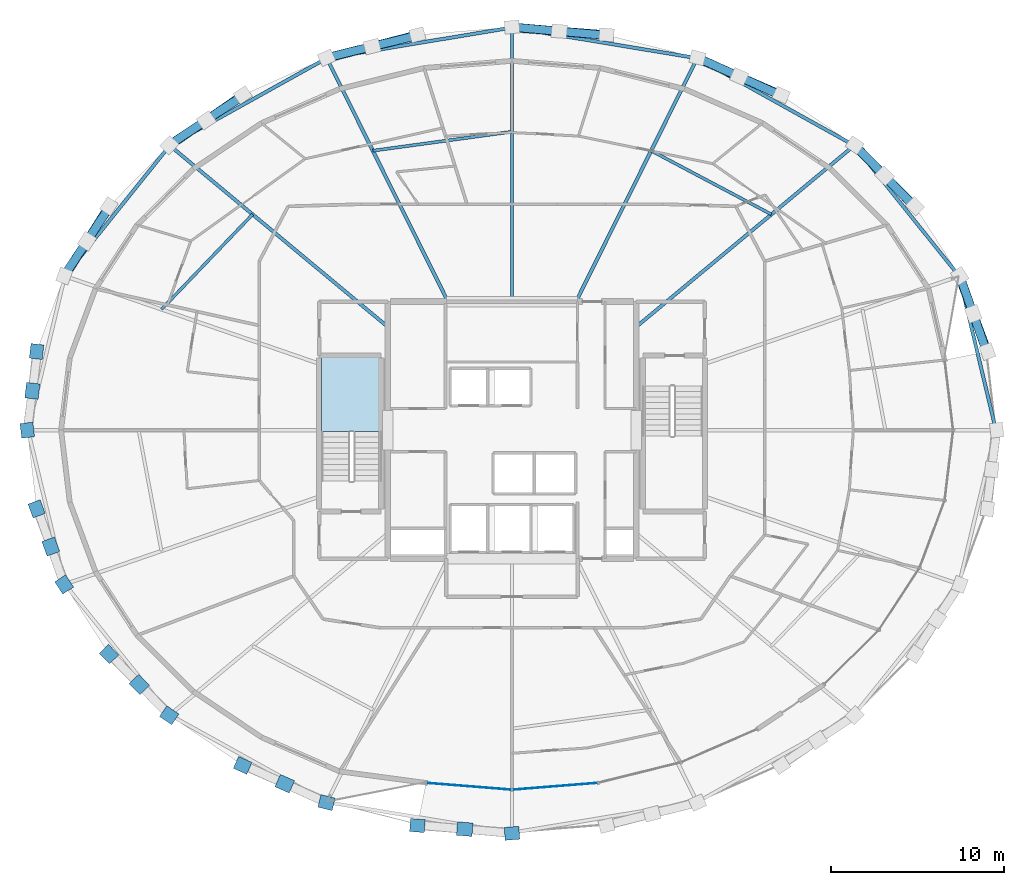
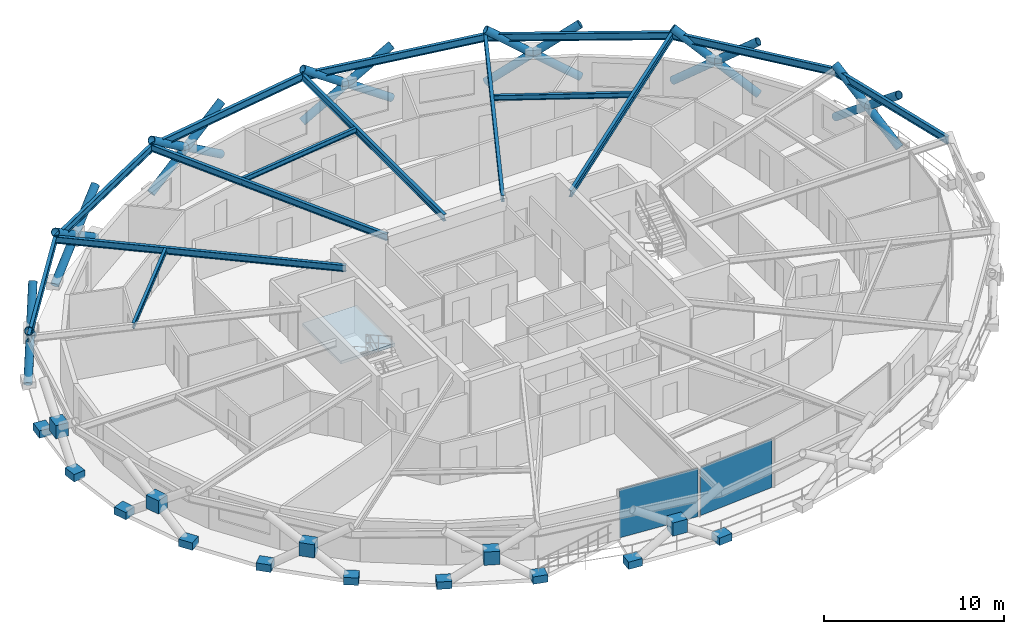
# One storey, part 12 of 19: 21 members, 17 plates, 15 beams, 1 slab, 2 elements without a shape of their own.
"""IFC4 building model written with IfcOpenShell, lengths in metres."""

import ifcopenshell
import ifcopenshell.guid

model = None  # the IFC model being written
_history = None  # IfcOwnerHistory: only IFC2X3 demands one
_inside = {}  # id of a spatial element -> (the spatial element, [elements in it])
_under = {}  # id of a project, library or spatial element -> (it, [spatial elements below it])
_declared = {}  # id of a project -> (the project, [libraries it declares])
_typed = {}  # id of a type object -> (the type object, [elements of that type])
_made_of = {}  # id of a material, layer set ... -> (it, [elements and type objects made of it])


def new_model(schema):
    """Start an empty IFC model of exactly this schema.

    Asked for "IFC4X3", IfcOpenShell would pick the latest addendum, in which some entities
    have other attributes; the version numbers below select the first issue.
    IFC2X3 requires an IfcOwnerHistory on every rooted entity: one is made here for all.
    """
    global model, _history
    if schema == "IFC4X3":
        model = ifcopenshell.file(schema_version=(4, 3, 0, 0))
    else:
        model = ifcopenshell.file(schema=schema)
    _inside.clear()
    _under.clear()
    _declared.clear()
    _typed.clear()
    _made_of.clear()
    _history = None
    if model.schema == "IFC2X3":
        org = make("IfcOrganization", Name="unknown")
        user = make(
            "IfcPersonAndOrganization",
            ThePerson=make("IfcPerson", FamilyName="unknown"),
            TheOrganization=org,
        )
        app = make(
            "IfcApplication",
            ApplicationDeveloper=org,
            Version="unknown",
            ApplicationFullName="unknown",
            ApplicationIdentifier="unknown",
        )
        _history = make(
            "IfcOwnerHistory",
            OwningUser=user,
            OwningApplication=app,
            ChangeAction="ADDED",
            CreationDate=0,
        )
    return model


def make(cls, **values):
    """One entity of the class cls with the attributes given. An attribute that is None is left unset."""
    return model.create_entity(
        cls, **{name: value for name, value in values.items() if value is not None}
    )


def rooted(cls, **values):
    """An entity with a GlobalId (a new one), such as an element, a storey or a relation."""
    return make(cls, GlobalId=ifcopenshell.guid.new(), OwnerHistory=_history, **values)


def si_unit(unit_type, name, prefix=None):
    """IfcSIUnit, for example si_unit("LENGTHUNIT", "METRE", prefix="MILLI")."""
    return make("IfcSIUnit", UnitType=unit_type, Prefix=prefix, Name=name)


def assignment(units):
    """IfcUnitAssignment: the units of a project."""
    return None if units is None else make("IfcUnitAssignment", Units=units)


def point(xyz):
    """IfcCartesianPoint."""
    return None if xyz is None else make("IfcCartesianPoint", Coordinates=xyz)


def direction(xyz):
    """IfcDirection."""
    return None if xyz is None else make("IfcDirection", DirectionRatios=xyz)


def frame(location, z_axis=None, x_axis=None):
    """IfcAxis2Placement3D, a coordinate frame: its origin and axes. An axis left out is left unset."""
    return make(
        "IfcAxis2Placement3D",
        Location=point(location),
        Axis=direction(z_axis),
        RefDirection=direction(x_axis),
    )


def frame_2d(location, x_axis=None):
    """IfcAxis2Placement2D, a coordinate frame in the plane: its origin and x axis."""
    return make(
        "IfcAxis2Placement2D", Location=point(location), RefDirection=direction(x_axis)
    )


def origin():
    """The frame at (0, 0, 0) with its axes left unset."""
    return frame((0.0, 0.0, 0.0))


def origin_2d():
    """The frame at (0, 0) in the plane with its x axis left unset."""
    return frame_2d((0.0, 0.0))


def place(relative_to, where):
    """IfcLocalPlacement: puts the frame where relative to a parent placement (None: the world)."""
    return make(
        "IfcLocalPlacement", PlacementRelTo=relative_to, RelativePlacement=where
    )


def context(
    kind, dimensions, precision=None, world=None, true_north=None, identifier=None
):
    """IfcGeometricRepresentationContext, for example the 3D "Model" context."""
    return make(
        "IfcGeometricRepresentationContext",
        ContextIdentifier=identifier,
        ContextType=kind,
        CoordinateSpaceDimension=dimensions,
        Precision=precision,
        WorldCoordinateSystem=world,
        TrueNorth=true_north,
    )


def subcontext(parent, identifier, kind, view, scale=None):
    """IfcGeometricRepresentationSubContext, for example "Body" below "Model"."""
    return make(
        "IfcGeometricRepresentationSubContext",
        ContextIdentifier=identifier,
        ContextType=kind,
        ParentContext=parent,
        TargetScale=scale,
        TargetView=view,
    )


def project(units=None, contexts=None):
    """IfcProject with its units and contexts."""
    return rooted(
        "IfcProject",
        Name="project",
        RepresentationContexts=contexts,
        UnitsInContext=assignment(units),
    )


def spatial(cls, under=None, at=None, **own):
    """A site, building, storey or space (cls), placed at a placement, below another one or the project."""
    s = rooted(cls, ObjectPlacement=at, **own)
    if under is not None:
        _under.setdefault(under.id(), (under, []))[1].append(s)
    return s


def polyline(points):
    """IfcPolyline through the points."""
    return make("IfcPolyline", Points=[point(p) for p in points])


def profile(cls, at=None, kind="AREA", **sizes):
    """A parametric profile (cls). Its sizes go by their IFC names, for example OverallWidth=200.0."""
    return make(cls, ProfileType=kind, Position=at, **sizes)


def rectangle(**sizes):
    """IfcRectangleProfileDef."""
    return profile("IfcRectangleProfileDef", **sizes)


def hollow_circle(**sizes):
    """IfcCircleHollowProfileDef."""
    return profile("IfcCircleHollowProfileDef", **sizes)


def i_section(**sizes):
    """IfcIShapeProfileDef."""
    return profile("IfcIShapeProfileDef", **sizes)


def outline(outer, holes=None, kind="AREA"):
    """IfcArbitraryClosedProfileDef: a profile drawn as a closed curve; with holes, ...WithVoids."""
    if holes is None:
        return make("IfcArbitraryClosedProfileDef", ProfileType=kind, OuterCurve=outer)
    return make(
        "IfcArbitraryProfileDefWithVoids",
        ProfileType=kind,
        OuterCurve=outer,
        InnerCurves=holes,
    )


def extrude(swept, where, along, depth):
    """IfcExtrudedAreaSolid: the profile swept, set in the frame where, extruded along a direction by depth."""
    return make(
        "IfcExtrudedAreaSolid",
        SweptArea=swept,
        Position=where,
        ExtrudedDirection=direction(along),
        Depth=depth,
    )


def shape(context_of_items, identifier, shape_type, items):
    """IfcShapeRepresentation: the items that make up one representation, for example the "Body"."""
    return make(
        "IfcShapeRepresentation",
        ContextOfItems=context_of_items,
        RepresentationIdentifier=identifier,
        RepresentationType=shape_type,
        Items=items,
    )


def material(Name=None, Category=None):
    """IfcMaterial."""
    return make("IfcMaterial", Name=Name, Category=Category)


def layer(
    of_material, thickness, ventilated=None, Name=None, Category=None, Priority=None
):
    """IfcMaterialLayer: one layer of a wall or slab, of a material (None: an air gap)."""
    return make(
        "IfcMaterialLayer",
        Material=of_material,
        LayerThickness=thickness,
        IsVentilated=ventilated,
        Name=Name,
        Category=Category,
        Priority=Priority,
    )


def layer_set(layers, Name=None):
    """IfcMaterialLayerSet."""
    return make("IfcMaterialLayerSet", MaterialLayers=layers, LayerSetName=Name)


def material_profile(
    of_material, cross_section, Name=None, Category=None, Priority=None
):
    """IfcMaterialProfile: a cross section and its material."""
    return make(
        "IfcMaterialProfile",
        Name=Name,
        Material=of_material,
        Profile=cross_section,
        Priority=Priority,
        Category=Category,
    )


def profile_set(profiles, Name=None, composite=None):
    """IfcMaterialProfileSet."""
    return make(
        "IfcMaterialProfileSet",
        Name=Name,
        MaterialProfiles=profiles,
        CompositeProfile=composite,
    )


def made_of(thing, what):
    """Note that an element or type object is made of a material, layer set ...; save() writes the relation."""
    if what is not None:
        _made_of.setdefault(what.id(), (what, []))[1].append(thing)
    return thing


def type_object(cls, material=None, **own):
    """A type object (cls), such as IfcWallType, which elements share."""
    return made_of(rooted(cls, **own), material)


def element(
    cls,
    number,
    at=None,
    inside=None,
    cuts=None,
    type_object=None,
    material=None,
    context=None,
    identifier="Body",
    shape_type=None,
    held_by="IfcProductDefinitionShape",
    body=None,
    shapes=None,
    **own,
):
    """One element of the class cls, such as IfcWall. Its Tag is "e" and its number.

    at: its placement. inside: the storey or other place that contains it. cuts: it is an
    opening in that element (IfcRelVoidsElement). A single representation is given by context,
    identifier, shape_type and body (its items); several are given by shapes. held_by: the class
    of the entity that holds the representations. save() writes the other relations.
    """
    e = rooted(cls, Tag="e%d" % number, ObjectPlacement=at, **own)
    if body is not None:
        shapes = [shape(context, identifier, shape_type, body)]
    if shapes is not None:
        e.Representation = make(held_by, Representations=shapes)
    if inside is not None:
        _inside.setdefault(inside.id(), (inside, []))[1].append(e)
    if cuts is not None:
        rooted(
            "IfcRelVoidsElement", RelatingBuildingElement=cuts, RelatedOpeningElement=e
        )
    if type_object is not None:
        _typed.setdefault(type_object.id(), (type_object, []))[1].append(e)
    return made_of(e, material)


def aggregate(whole, parts):
    """IfcRelAggregates: a whole, such as a stair, and the parts it consists of."""
    return rooted("IfcRelAggregates", RelatingObject=whole, RelatedObjects=parts)


def save(model, path):
    """Write the relations noted so far, then the file.

    IfcRelAggregates (storeys below a building ...), IfcRelContainedInSpatialStructure (elements
    in a storey), IfcRelDefinesByType, IfcRelAssociatesMaterial and IfcRelDeclares: one each for
    every whole, place, type object, material and project.
    """
    for whole, parts in _under.values():
        aggregate(whole, parts)
    for where, things in _inside.values():
        rooted(
            "IfcRelContainedInSpatialStructure",
            RelatedElements=things,
            RelatingStructure=where,
        )
    for kind, things in _typed.values():
        rooted("IfcRelDefinesByType", RelatedObjects=things, RelatingType=kind)
    for what, things in _made_of.values():
        rooted("IfcRelAssociatesMaterial", RelatedObjects=things, RelatingMaterial=what)
    for by, libraries in _declared.values():
        rooted("IfcRelDeclares", RelatingContext=by, RelatedDefinitions=libraries)
    model.write(path)


model = new_model("IFC4")

# Units and contexts
model_context = context("Model", 3, precision=1e-05, world=origin(), true_north=direction((0.0, 1.0)))
body_context = subcontext(model_context, "Body", "Model", "MODEL_VIEW")
ifc_project = project(units=[si_unit("LENGTHUNIT", "METRE"), si_unit("AREAUNIT", "SQUARE_METRE"), si_unit("VOLUMEUNIT", "CUBIC_METRE"), si_unit("PLANEANGLEUNIT", "RADIAN"), si_unit("MASSUNIT", "GRAM", prefix="KILO")], contexts=[model_context])

# Site, building, storey
site_placement = place(None, origin())
site = spatial("IfcSite", under=ifc_project, at=site_placement, CompositionType="ELEMENT")
building_placement = place(site_placement, origin())
building = spatial("IfcBuilding", under=site, at=building_placement, Name="Veldorina Hangang Commons", CompositionType="ELEMENT")
storey_placement = place(building_placement, frame((0.0, 0.0, 167.60009765625)))
storey = spatial("IfcBuildingStorey", under=building, at=storey_placement, Name="L43", CompositionType="ELEMENT", Elevation=167.60009765625)

# Beams
ifc_material_1 = material(Name="Steel SM355-TMC", Category="steel")
ifc_material_profile_1 = material_profile(ifc_material_1, i_section(OverallWidth=0.199951171875, OverallDepth=0.449951171875, WebThickness=0.009033203125, FlangeThickness=0.013916015625, FilletRadius=0.01611328125, at=origin_2d()), Name="H-450x200x9x14")
ifc_profile_set_1 = profile_set([ifc_material_profile_1], Name="Steel SM355-TMC")
beam_type_1 = type_object("IfcBeamType", Name="BM-FG450", PredefinedType="BEAM", material=ifc_profile_set_1)
beam_1_placement = place(storey_placement, frame((39.199951171875, 29.989501953125, 3.125), z_axis=(0.768760288374, 0.639537034908, 0.0), x_axis=(-0.639537034908, 0.768760288374, 0.0)))
element("IfcBeam", 1, at=beam_1_placement, inside=storey, type_object=beam_type_1, Name="L43 radial floor girder 03", PredefinedType="BEAM", context=body_context, shape_type="SweptSolid", body=[
    extrude(i_section(OverallWidth=0.199951171875, OverallDepth=0.449951171875, WebThickness=0.009033203125, FlangeThickness=0.013916015625, FilletRadius=0.01611328125, at=origin_2d()), origin(), (0.0, 0.0, 1.0), 16.438720703125),
])
beam_2_placement = place(storey_placement, frame((35.70947265625, 31.449951171875, 3.125), z_axis=(0.445720011788, 0.895172425342, 0.0), x_axis=(-0.895172425342, 0.445720011788, 0.0)))
element("IfcBeam", 2, at=beam_2_placement, inside=storey, type_object=beam_type_1, Name="L43 radial floor girder 04", PredefinedType="BEAM", context=body_context, shape_type="SweptSolid", body=[
    extrude(i_section(OverallWidth=0.199951171875, OverallDepth=0.449951171875, WebThickness=0.009033203125, FlangeThickness=0.013916015625, FilletRadius=0.01611328125, at=origin_2d()), origin(), (0.0, 0.0, 1.0), 15.76416015625),
])
beam_3_placement = place(storey_placement, frame((32.0, 31.449951171875, 3.125), z_axis=(0.0, 1.0, 0.0), x_axis=(-1.0, 0.0, 0.0)))
element("IfcBeam", 3, at=beam_3_placement, inside=storey, type_object=beam_type_1, Name="L43 radial floor girder 05", PredefinedType="BEAM", context=body_context, shape_type="SweptSolid", body=[
    extrude(i_section(OverallWidth=0.199951171875, OverallDepth=0.449951171875, WebThickness=0.009033203125, FlangeThickness=0.013916015625, FilletRadius=0.01611328125, at=origin_2d()), origin(), (0.0, 0.0, 1.0), 15.88818359375),
])
beam_4_placement = place(storey_placement, frame((28.29052734375, 31.449951171875, 3.125), z_axis=(-0.445720011788, 0.895172425342, 0.0), x_axis=(-0.895172425342, -0.445720011788, 0.0)))
element("IfcBeam", 4, at=beam_4_placement, inside=storey, type_object=beam_type_1, Name="L43 radial floor girder 06", PredefinedType="BEAM", context=body_context, shape_type="SweptSolid", body=[
    extrude(i_section(OverallWidth=0.199951171875, OverallDepth=0.449951171875, WebThickness=0.009033203125, FlangeThickness=0.013916015625, FilletRadius=0.01611328125, at=origin_2d()), origin(), (0.0, 0.0, 1.0), 15.76416015625),
])
beam_5_placement = place(storey_placement, frame((24.800048828125, 29.989501953125, 3.125), z_axis=(-0.768760288374, 0.639537034908, 0.0), x_axis=(-0.639537034908, -0.768760288374, 0.0)))
element("IfcBeam", 5, at=beam_5_placement, inside=storey, type_object=beam_type_1, Name="L43 radial floor girder 07", PredefinedType="BEAM", context=body_context, shape_type="SweptSolid", body=[
    extrude(i_section(OverallWidth=0.199951171875, OverallDepth=0.449951171875, WebThickness=0.009033203125, FlangeThickness=0.013916015625, FilletRadius=0.01611328125, at=origin_2d()), origin(), (0.0, 0.0, 1.0), 16.438720703125),
])
ifc_material_profile_2 = material_profile(ifc_material_1, i_section(OverallWidth=0.175048828125, OverallDepth=0.35009765625, WebThickness=0.007080078125, FlangeThickness=0.010986328125, FilletRadius=0.012939453125, at=origin_2d()), Name="H-350x175x7x11")
ifc_profile_set_2 = profile_set([ifc_material_profile_2], Name="Steel SM355-TMC")
beam_type_2 = type_object("IfcBeamType", Name="BM-JST350", PredefinedType="JOIST", material=ifc_profile_set_2)
beam_6_placement = place(storey_placement, frame((47.03515625, 36.5078125, 3.1748046875), z_axis=(-0.883693019746, 0.468066925613, 0.0), x_axis=(-0.468066925613, -0.883693019746, 0.0)))
element("IfcBeam", 6, at=beam_6_placement, inside=storey, type_object=beam_type_2, Name="L43 secondary floor joist 03", PredefinedType="JOIST", context=body_context, shape_type="SweptSolid", body=[
    extrude(i_section(OverallWidth=0.175048828125, OverallDepth=0.35009765625, WebThickness=0.007080078125, FlangeThickness=0.010986328125, FilletRadius=0.012939453125, at=origin_2d()), origin(), (0.0, 0.0, 1.0), 7.886474609375),
])
beam_7_placement = place(storey_placement, frame((32.0, 41.300537109375, 3.1748046875), z_axis=(-0.990806793952, -0.135284504132, 0.0), x_axis=(0.135284504132, -0.990806793952, 0.0)))
element("IfcBeam", 7, at=beam_7_placement, inside=storey, type_object=beam_type_2, Name="L43 secondary floor joist 05", PredefinedType="JOIST", context=body_context, shape_type="SweptSolid", body=[
    extrude(i_section(OverallWidth=0.175048828125, OverallDepth=0.35009765625, WebThickness=0.007080078125, FlangeThickness=0.010986328125, FilletRadius=0.012939453125, at=origin_2d()), origin(), (0.0, 0.0, 1.0), 8.140869140625),
])
beam_8_placement = place(storey_placement, frame((16.96484375, 36.5078125, 3.1748046875), z_axis=(-0.692302033015, -0.72160785409, 0.0), x_axis=(0.72160785409, -0.692302033015, 0.0)))
element("IfcBeam", 8, at=beam_8_placement, inside=storey, type_object=beam_type_2, Name="L43 secondary floor joist 07", PredefinedType="JOIST", context=body_context, shape_type="SweptSolid", body=[
    extrude(i_section(OverallWidth=0.175048828125, OverallDepth=0.35009765625, WebThickness=0.007080078125, FlangeThickness=0.010986328125, FilletRadius=0.012939453125, at=origin_2d()), origin(), (0.0, 0.0, 1.0), 7.631103515625),
])
ifc_material_2 = material(Name="Steel SM420-TMC", Category="steel")
ifc_material_profile_3 = material_profile(ifc_material_2, i_section(OverallWidth=0.199951171875, OverallDepth=0.5, WebThickness=0.010009765625, FlangeThickness=0.01611328125, FilletRadius=0.01611328125, at=origin_2d()), Name="H-500x200x10x16")
ifc_profile_set_3 = profile_set([ifc_material_profile_3], Name="Steel SM420-TMC")
beam_type_3 = type_object("IfcBeamType", Name="BM-RB500", PredefinedType="BEAM", material=ifc_profile_set_3)
beam_9_placement = place(storey_placement, frame((60.054443359375, 24.0, 3.099853515625), z_axis=(-0.232551345037, 0.972584120743, 0.0), x_axis=(-0.972584120743, -0.232551345037, 0.0)))
element("IfcBeam", 9, at=beam_9_placement, inside=storey, type_object=beam_type_3, Name="L43 perimeter hoop ring beam 00", PredefinedType="BEAM", context=body_context, shape_type="SweptSolid", body=[
    extrude(i_section(OverallWidth=0.199951171875, OverallDepth=0.5, WebThickness=0.010009765625, FlangeThickness=0.01611328125, FilletRadius=0.01611328125, at=origin_2d()), origin(), (0.0, 0.0, 1.0), 9.182861328125),
])
beam_10_placement = place(storey_placement, frame((57.9189453125, 32.93115234375, 3.099853515625), z_axis=(-0.626220607691, 0.779645913542, 0.0), x_axis=(-0.779645913542, -0.626220607691, 0.0)))
element("IfcBeam", 10, at=beam_10_placement, inside=storey, type_object=beam_type_3, Name="L43 perimeter hoop ring beam 02", PredefinedType="BEAM", context=body_context, shape_type="SweptSolid", body=[
    extrude(i_section(OverallWidth=0.199951171875, OverallDepth=0.5, WebThickness=0.010009765625, FlangeThickness=0.01611328125, FilletRadius=0.01611328125, at=origin_2d()), origin(), (0.0, 0.0, 1.0), 9.71142578125),
])
beam_11_placement = place(storey_placement, frame((51.83740234375, 40.502685546875, 3.099853515625), z_axis=(-0.874058830112, 0.485820091705, 0.0), x_axis=(-0.485820091705, -0.874058830112, 0.0)))
element("IfcBeam", 11, at=beam_11_placement, inside=storey, type_object=beam_type_3, Name="L43 perimeter hoop ring beam 04", PredefinedType="BEAM", context=body_context, shape_type="SweptSolid", body=[
    extrude(i_section(OverallWidth=0.199951171875, OverallDepth=0.5, WebThickness=0.010009765625, FlangeThickness=0.01611328125, FilletRadius=0.01611328125, at=origin_2d()), origin(), (0.0, 0.0, 1.0), 10.4130859375),
])
for number, where, z_axis, x_axis, name in (
    (12, (42.73583984375, 45.5615234375, 3.099853515625), (-0.98658245726, 0.163263759073, 0.0), (-0.163263759073, -0.98658245726, 0.0), "L43 perimeter hoop ring beam 06"),
    (13, (32.0, 47.338134765625, 3.099853515625), (-0.98658245726, -0.163263759073, 0.0), (0.163263759073, -0.98658245726, 0.0), "L43 perimeter hoop ring beam 08"),
):
    element("IfcBeam", number, at=place(storey_placement, frame(where, z_axis=z_axis, x_axis=x_axis)), inside=storey, type_object=beam_type_3, Name=name, PredefinedType="BEAM", context=body_context, shape_type="SweptSolid", body=[
        extrude(i_section(OverallWidth=0.199951171875, OverallDepth=0.5, WebThickness=0.010009765625, FlangeThickness=0.01611328125, FilletRadius=0.01611328125, at=origin_2d()), origin(), (0.0, 0.0, 1.0), 10.8818359375),
    ])
beam_12_placement = place(storey_placement, frame((21.26416015625, 45.5615234375, 3.099853515625), z_axis=(-0.874058830112, -0.485820091705, 0.0), x_axis=(0.485820091705, -0.874058830112, 0.0)))
element("IfcBeam", 14, at=beam_12_placement, inside=storey, type_object=beam_type_3, Name="L43 perimeter hoop ring beam 10", PredefinedType="BEAM", context=body_context, shape_type="SweptSolid", body=[
    extrude(i_section(OverallWidth=0.199951171875, OverallDepth=0.5, WebThickness=0.010009765625, FlangeThickness=0.01611328125, FilletRadius=0.01611328125, at=origin_2d()), origin(), (0.0, 0.0, 1.0), 10.4130859375),
])
beam_13_placement = place(storey_placement, frame((12.16259765625, 40.502685546875, 3.099853515625), z_axis=(-0.626220607691, -0.779645913542, 0.0), x_axis=(0.779645913542, -0.626220607691, 0.0)))
element("IfcBeam", 15, at=beam_13_placement, inside=storey, type_object=beam_type_3, Name="L43 perimeter hoop ring beam 12", PredefinedType="BEAM", context=body_context, shape_type="SweptSolid", body=[
    extrude(i_section(OverallWidth=0.199951171875, OverallDepth=0.5, WebThickness=0.010009765625, FlangeThickness=0.01611328125, FilletRadius=0.01611328125, at=origin_2d()), origin(), (0.0, 0.0, 1.0), 9.71142578125),
])

# Members
ifc_material_profile_4 = material_profile(ifc_material_2, hollow_circle(Radius=0.25, WallThickness=0.02490234375, at=origin_2d()), Name="CHS-500x25")
ifc_profile_set_4 = profile_set([ifc_material_profile_4], Name="Steel SM420-TMC")
member_type = type_object("IfcMemberType", Name="DG-CHS500", PredefinedType="BRACE", material=ifc_profile_set_4)
member_1_placement = place(storey_placement, frame((59.555419921875, 28.55859375, 0.0), z_axis=(-0.278606436936, 0.741321705415, 0.610590355622), x_axis=(-0.936075368208, -0.351799523925, 0.0)))
element("IfcMember", 16, at=member_1_placement, inside=storey, type_object=member_type, Name="L43 continuous perimeter diagrid brace 01", PredefinedType="BRACE", context=body_context, shape_type="SweptSolid", body=[
    extrude(hollow_circle(Radius=0.25, WallThickness=0.02490234375, at=origin_2d()), origin(), (0.0, 0.0, 1.0), 5.895751953125),
])
member_2_placement = place(storey_placement, frame((57.95654296875, 32.94189453125, 0.0), z_axis=(0.263807144234, -0.745823089104, 0.611681052846), x_axis=(0.94276181356, 0.333466884254, 0.0)))
element("IfcMember", 17, at=member_2_placement, inside=storey, type_object=member_type, Name="L43 split perimeter diagrid lower brace 02", PredefinedType="BRACE", context=body_context, shape_type="SweptSolid", body=[
    extrude(hollow_circle(Radius=0.25, WallThickness=0.02490234375, at=origin_2d()), origin(), (0.0, 0.0, 1.0), 2.94482421875),
])
member_3_placement = place(storey_placement, frame((58.7333984375, 30.74560546875, 1.80126953125), z_axis=(0.263670727845, -0.745932458968, 0.611606502529), x_axis=(0.942831372342, 0.333270165672, 0.0)))
element("IfcMember", 18, at=member_3_placement, inside=storey, type_object=member_type, Name="L43 split perimeter diagrid upper brace 02", PredefinedType="BRACE", context=body_context, shape_type="SweptSolid", body=[
    extrude(hollow_circle(Radius=0.25, WallThickness=0.02490234375, at=origin_2d()), origin(), (0.0, 0.0, 1.0), 2.940673828125),
])
member_4_placement = place(storey_placement, frame((55.3603515625, 36.981689453125, 0.0), z_axis=(-0.573943098216, 0.572314496442, 0.585700808581), x_axis=(-0.706101411807, -0.708110723153, 0.0)))
element("IfcMember", 19, at=member_4_placement, inside=storey, type_object=member_type, Name="L43 continuous perimeter diagrid brace 03", PredefinedType="BRACE", context=body_context, shape_type="SweptSolid", body=[
    extrude(hollow_circle(Radius=0.25, WallThickness=0.02490234375, at=origin_2d()), origin(), (0.0, 0.0, 1.0), 6.146240234375),
])
member_5_placement = place(storey_placement, frame((51.8662109375, 40.522705078125, 0.0), z_axis=(0.563784811177, -0.58066173577, 0.5873488191), x_axis=(0.717456335926, 0.696603478343, 0.0)))
element("IfcMember", 20, at=member_5_placement, inside=storey, type_object=member_type, Name="L43 split perimeter diagrid lower brace 04", PredefinedType="BRACE", context=body_context, shape_type="SweptSolid", body=[
    extrude(hollow_circle(Radius=0.25, WallThickness=0.02490234375, at=origin_2d()), origin(), (0.0, 0.0, 1.0), 3.06689453125),
])
member_6_placement = place(storey_placement, frame((53.59521484375, 38.741943359375, 1.80126953125), z_axis=(0.56354867995, -0.580850613106, 0.587388670797), x_axis=(0.717715358249, 0.696336602897, 0.0)))
element("IfcMember", 21, at=member_6_placement, inside=storey, type_object=member_type, Name="L43 split perimeter diagrid upper brace 04", PredefinedType="BRACE", context=body_context, shape_type="SweptSolid", body=[
    extrude(hollow_circle(Radius=0.25, WallThickness=0.02490234375, at=origin_2d()), origin(), (0.0, 0.0, 1.0), 3.06201171875),
])
member_7_placement = place(storey_placement, frame((47.60888671875, 43.4287109375, 0.0), z_axis=(-0.759015590088, 0.331389931396, 0.560424881114), x_axis=(-0.400130194067, -0.916458306632, 0.0)))
element("IfcMember", 22, at=member_7_placement, inside=storey, type_object=member_type, Name="L43 continuous perimeter diagrid brace 05", PredefinedType="BRACE", context=body_context, shape_type="SweptSolid", body=[
    extrude(hollow_circle(Radius=0.25, WallThickness=0.02490234375, at=origin_2d()), origin(), (0.0, 0.0, 1.0), 6.42333984375),
])
member_8_placement = place(storey_placement, frame((42.751708984375, 45.587890625, 0.0), z_axis=(0.753753676849, -0.341099800642, 0.56169949318), x_axis=(0.412284250185, 0.91105526564, 0.0)))
element("IfcMember", 23, at=member_8_placement, inside=storey, type_object=member_type, Name="L43 split perimeter diagrid lower brace 06", PredefinedType="BRACE", context=body_context, shape_type="SweptSolid", body=[
    extrude(hollow_circle(Radius=0.25, WallThickness=0.02490234375, at=origin_2d()), origin(), (0.0, 0.0, 1.0), 3.207275390625),
])
member_9_placement = place(storey_placement, frame((45.169189453125, 44.493896484375, 1.801513671875), z_axis=(0.753711570261, -0.341286088871, 0.56164283526), x_axis=(0.412490238252, 0.910962020804, 0.0)))
element("IfcMember", 24, at=member_9_placement, inside=storey, type_object=member_type, Name="L43 split perimeter diagrid upper brace 06", PredefinedType="BRACE", context=body_context, shape_type="SweptSolid", body=[
    extrude(hollow_circle(Radius=0.25, WallThickness=0.02490234375, at=origin_2d()), origin(), (0.0, 0.0, 1.0), 3.201904296875),
])
member_10_placement = place(storey_placement, frame((37.481201171875, 46.917724609375, 0.0), z_axis=(-0.834175960217, 0.063275651875, 0.547856422137), x_axis=(-0.075636793266, -0.997135434886, 0.0)))
element("IfcMember", 25, at=member_10_placement, inside=storey, type_object=member_type, Name="L43 continuous perimeter diagrid brace 07", PredefinedType="BRACE", context=body_context, shape_type="SweptSolid", body=[
    extrude(hollow_circle(Radius=0.25, WallThickness=0.02490234375, at=origin_2d()), origin(), (0.0, 0.0, 1.0), 6.57080078125),
])
member_11_placement = place(storey_placement, frame((32.0, 47.36669921875, 0.0), z_axis=(0.833166851508, -0.073318088662, 0.548139996191), x_axis=(0.087660525249, 0.996150406471, 0.0)))
element("IfcMember", 26, at=member_11_placement, inside=storey, type_object=member_type, Name="L43 split perimeter diagrid lower brace 08", PredefinedType="BRACE", context=body_context, shape_type="SweptSolid", body=[
    extrude(hollow_circle(Radius=0.25, WallThickness=0.02490234375, at=origin_2d()), origin(), (0.0, 0.0, 1.0), 3.28662109375),
])
member_12_placement = place(storey_placement, frame((34.73828125, 47.125732421875, 1.801513671875), z_axis=(0.833185330415, -0.07329530682, 0.548114954348), x_axis=(0.087631567384, 0.996152954319, 0.0)))
element("IfcMember", 27, at=member_12_placement, inside=storey, type_object=member_type, Name="L43 split perimeter diagrid upper brace 08", PredefinedType="BRACE", context=body_context, shape_type="SweptSolid", body=[
    extrude(hollow_circle(Radius=0.25, WallThickness=0.02490234375, at=origin_2d()), origin(), (0.0, 0.0, 1.0), 3.281005859375),
])
member_13_placement = place(storey_placement, frame((26.518798828125, 46.917724609375, 0.0), z_axis=(-0.806646606006, -0.208926457894, 0.552875201299), x_axis=(0.250732589103, -0.968056387181, 0.0)))
element("IfcMember", 28, at=member_13_placement, inside=storey, type_object=member_type, Name="L43 continuous perimeter diagrid brace 09", PredefinedType="BRACE", context=body_context, shape_type="SweptSolid", body=[
    extrude(hollow_circle(Radius=0.25, WallThickness=0.02490234375, at=origin_2d()), origin(), (0.0, 0.0, 1.0), 6.51123046875),
])
member_14_placement = place(storey_placement, frame((21.248291015625, 45.587890625, 0.0), z_axis=(0.809710887985, 0.198873733161, 0.552102813014), x_axis=(-0.238521765756, 0.971137151622, 0.0)))
element("IfcMember", 29, at=member_14_placement, inside=storey, type_object=member_type, Name="L43 split perimeter diagrid lower brace 10", PredefinedType="BRACE", context=body_context, shape_type="SweptSolid", body=[
    extrude(hollow_circle(Radius=0.25, WallThickness=0.02490234375, at=origin_2d()), origin(), (0.0, 0.0, 1.0), 3.262939453125),
])
member_15_placement = place(storey_placement, frame((23.890380859375, 46.23681640625, 1.801513671875), z_axis=(0.80970600197, 0.199053974568, 0.552045021336), x_axis=(-0.238726984521, 0.971086724686, 0.0)))
element("IfcMember", 30, at=member_15_placement, inside=storey, type_object=member_type, Name="L43 split perimeter diagrid upper brace 10", PredefinedType="BRACE", context=body_context, shape_type="SweptSolid", body=[
    extrude(hollow_circle(Radius=0.25, WallThickness=0.02490234375, at=origin_2d()), origin(), (0.0, 0.0, 1.0), 3.257568359375),
])
member_16_placement = place(storey_placement, frame((16.39111328125, 43.4287109375, 0.0), z_axis=(-0.673075708122, -0.466807434354, 0.573637438082), x_axis=(0.569896372741, -0.82171657178, 0.0)))
element("IfcMember", 31, at=member_16_placement, inside=storey, type_object=member_type, Name="L43 continuous perimeter diagrid brace 11", PredefinedType="BRACE", context=body_context, shape_type="SweptSolid", body=[
    extrude(hollow_circle(Radius=0.25, WallThickness=0.02490234375, at=origin_2d()), origin(), (0.0, 0.0, 1.0), 6.275390625),
])
member_17_placement = place(storey_placement, frame((12.1337890625, 40.522705078125, 0.0), z_axis=(0.680842838992, 0.457384342013, 0.57205995514), x_axis=(-0.557641743656, 0.830081734369, 0.0)))
element("IfcMember", 32, at=member_17_placement, inside=storey, type_object=member_type, Name="L43 split perimeter diagrid lower brace 12", PredefinedType="BRACE", context=body_context, shape_type="SweptSolid", body=[
    extrude(hollow_circle(Radius=0.25, WallThickness=0.02490234375, at=origin_2d()), origin(), (0.0, 0.0, 1.0), 3.148681640625),
])
member_18_placement = place(storey_placement, frame((14.277587890625, 41.962890625, 1.80126953125), z_axis=(0.680702438566, 0.457503487232, 0.572131758689), x_axis=(-0.557821067238, 0.829961238218, 0.0)))
element("IfcMember", 33, at=member_18_placement, inside=storey, type_object=member_type, Name="L43 split perimeter diagrid upper brace 12", PredefinedType="BRACE", context=body_context, shape_type="SweptSolid", body=[
    extrude(hollow_circle(Radius=0.25, WallThickness=0.02490234375, at=origin_2d()), origin(), (0.0, 0.0, 1.0), 3.1435546875),
])
member_19_placement = place(storey_placement, frame((8.6396484375, 36.981689453125, 0.0), z_axis=(-0.426025943666, -0.676384948724, 0.600837163018), x_axis=(0.846145999874, -0.532951167461, 0.0)))
element("IfcMember", 34, at=member_19_placement, inside=storey, type_object=member_type, Name="L43 continuous perimeter diagrid brace 13", PredefinedType="BRACE", context=body_context, shape_type="SweptSolid", body=[
    extrude(hollow_circle(Radius=0.25, WallThickness=0.02490234375, at=origin_2d()), origin(), (0.0, 0.0, 1.0), 5.991455078125),
])
member_20_placement = place(storey_placement, frame((6.04345703125, 32.94189453125, 0.0), z_axis=(0.438879948843, 0.669488902158, 0.599307100234), x_axis=(-0.836318350532, 0.548244121321, 0.0)))
element("IfcMember", 35, at=member_20_placement, inside=storey, type_object=member_type, Name="L43 split perimeter diagrid lower brace 14", PredefinedType="BRACE", context=body_context, shape_type="SweptSolid", body=[
    extrude(hollow_circle(Radius=0.25, WallThickness=0.02490234375, at=origin_2d()), origin(), (0.0, 0.0, 1.0), 3.005615234375),
])
member_21_placement = place(storey_placement, frame((7.362548828125, 34.9541015625, 1.80126953125), z_axis=(0.438745328183, 0.669548312804, 0.599339297743), x_axis=(-0.836417752278, 0.548092459056, 0.0)))
element("IfcMember", 36, at=member_21_placement, inside=storey, type_object=member_type, Name="L43 split perimeter diagrid upper brace 14", PredefinedType="BRACE", context=body_context, shape_type="SweptSolid", body=[
    extrude(hollow_circle(Radius=0.25, WallThickness=0.02490234375, at=origin_2d()), origin(), (0.0, 0.0, 1.0), 3.0009765625),
])

# Curtain wall, plates
ifc_material_3 = material(Name="Glass Low-E Triple IGU", Category="glass")
ifc_layer_1 = layer(ifc_material_3, 0.179931640625)
ifc_layer_set_1 = layer_set([ifc_layer_1], Name="Glass Low-E Triple IGU")
curtain_wall_type = type_object("IfcCurtainWallType", Name="CW-SYS-Z2", PredefinedType="NOTDEFINED", material=ifc_layer_set_1)
curtain_wall_placement = place(storey_placement, origin())
curtain_wall = element("IfcCurtainWall", 37, at=curtain_wall_placement, inside=storey, type_object=curtain_wall_type, Name="L43 unitised curtain wall CW-L43-R1", PredefinedType="NOTDEFINED")
ifc_layer_2 = layer(ifc_material_3, 0.0400390625)
ifc_layer_set_2 = layer_set([ifc_layer_2], Name="Glass Low-E Triple IGU")
plate_type_1 = type_object("IfcPlateType", Name="CW-PNL-VIS", PredefinedType="CURTAIN_PANEL", material=ifc_layer_set_2)
plate_1_placement = place(storey_placement, frame((29.50537109375, 3.353515625, 0.0146484375), z_axis=(0.0, 0.0, 1.0), x_axis=(0.996792860627, -0.080024952375, 0.0)))
plate_1 = element("IfcPlate", 38, at=plate_1_placement, type_object=plate_type_1, Name="CW-L43-R1 facet 1 glazed vision panel", PredefinedType="CURTAIN_PANEL", context=body_context, shape_type="SweptSolid", body=[
    extrude(rectangle(XDim=4.82568359375, YDim=0.0400390625, at=origin_2d()), origin(), (0.0, 0.0, 1.0), 3.280029296875),
])
plate_2_placement = place(storey_placement, frame((34.49462890625, 3.353515625, 0.0146484375), z_axis=(0.0, 0.0, 1.0), x_axis=(0.996792860627, 0.080024952375, 0.0)))
plate_2 = element("IfcPlate", 39, at=plate_2_placement, type_object=plate_type_1, Name="CW-L43-R1 facet 2 glazed vision panel", PredefinedType="CURTAIN_PANEL", context=body_context, shape_type="SweptSolid", body=[
    extrude(rectangle(XDim=4.82568359375, YDim=0.0400390625, at=origin_2d()), origin(), (0.0, 0.0, 1.0), 3.280029296875),
])
aggregate(curtain_wall, [plate_1, plate_2])

# Plates
ifc_material_4 = material(Name="Steel SM460-TMC", Category="steel")
ifc_layer_3 = layer(ifc_material_4, 0.035888671875)
ifc_layer_set_3 = layer_set([ifc_layer_3], Name="Steel SM460-TMC")
plate_type_2 = type_object("IfcPlateType", Name="PL-STAR-36", PredefinedType="USERDEFINED", material=ifc_layer_set_3)
plate_3_placement = place(storey_placement, frame((4.444580078125, 28.55859375, -0.090087890625), z_axis=(0.0, 0.0, 1.0), x_axis=(-0.11758939424, -0.99306230135, 0.0)))
element("IfcPlate", 40, at=plate_3_placement, inside=storey, type_object=plate_type_2, Name="L43 diagrid star-node gusset plate 15", ObjectType="GUSSET PLATE", PredefinedType="USERDEFINED", context=body_context, shape_type="SweptSolid", body=[
    extrude(rectangle(XDim=0.85009765625, YDim=0.75, at=origin_2d()), origin(), (0.0, 0.0, 1.0), 0.5),
])
plate_4_placement = place(storey_placement, frame((4.1982421875, 26.277587890625, 1.351318359375), z_axis=(0.0, 0.0, 1.0), x_axis=(-0.11758939424, -0.99306230135, 0.0)))
element("IfcPlate", 41, at=plate_4_placement, inside=storey, type_object=plate_type_2, Name="L43 diagrid X-crossing star-node gusset plate 15", ObjectType="GUSSET PLATE", PredefinedType="USERDEFINED", context=body_context, shape_type="SweptSolid", body=[
    extrude(rectangle(XDim=0.89990234375, YDim=0.780029296875, at=origin_2d()), origin(), (0.0, 0.0, 1.0), 0.89990234375),
])
for number, where, z_axis, x_axis, name in (
    (42, (3.90478515625, 24.0, -0.090087890625), (0.0, 0.0, 1.0), (0.11758939424, -0.99306230135, 0.0), "L43 diagrid star-node gusset plate 16"),
    (43, (4.444580078125, 19.44140625, -0.090087890625), (0.0, 0.0, 1.0), (0.342659692521, -0.939459597386, 0.0), "L43 diagrid star-node gusset plate 17"),
):
    element("IfcPlate", number, at=place(storey_placement, frame(where, z_axis=z_axis, x_axis=x_axis)), inside=storey, type_object=plate_type_2, Name=name, ObjectType="GUSSET PLATE", PredefinedType="USERDEFINED", context=body_context, shape_type="SweptSolid", body=[
        extrude(rectangle(XDim=0.85009765625, YDim=0.75, at=origin_2d()), origin(), (0.0, 0.0, 1.0), 0.5),
    ])
plate_5_placement = place(storey_placement, frame((5.2666015625, 17.25439453125, 1.351318359375), z_axis=(0.0, 0.0, 1.0), x_axis=(0.342659692521, -0.939459597386, 0.0)))
element("IfcPlate", 44, at=plate_5_placement, inside=storey, type_object=plate_type_2, Name="L43 diagrid X-crossing star-node gusset plate 17", ObjectType="GUSSET PLATE", PredefinedType="USERDEFINED", context=body_context, shape_type="SweptSolid", body=[
    extrude(rectangle(XDim=0.89990234375, YDim=0.780029296875, at=origin_2d()), origin(), (0.0, 0.0, 1.0), 0.89990234375),
])
for number, where, z_axis, x_axis, name in (
    (45, (6.04345703125, 15.05810546875, -0.090087890625), (0.0, 0.0, 1.0), (0.540651495699, -0.841246670245, 0.0), "L43 diagrid star-node gusset plate 18"),
    (46, (8.6396484375, 11.018310546875, -0.090087890625), (0.0, 0.0, 1.0), (0.702364284466, -0.711817681648, 0.0), "L43 diagrid star-node gusset plate 19"),
):
    element("IfcPlate", number, at=place(storey_placement, frame(where, z_axis=z_axis, x_axis=x_axis)), inside=storey, type_object=plate_type_2, Name=name, ObjectType="GUSSET PLATE", PredefinedType="USERDEFINED", context=body_context, shape_type="SweptSolid", body=[
        extrude(rectangle(XDim=0.85009765625, YDim=0.75, at=origin_2d()), origin(), (0.0, 0.0, 1.0), 0.5),
    ])
plate_6_placement = place(storey_placement, frame((10.40478515625, 9.258056640625, 1.351318359375), z_axis=(0.0, 0.0, 1.0), x_axis=(0.702364284466, -0.711817681648, 0.0)))
element("IfcPlate", 47, at=plate_6_placement, inside=storey, type_object=plate_type_2, Name="L43 diagrid X-crossing star-node gusset plate 19", ObjectType="GUSSET PLATE", PredefinedType="USERDEFINED", context=body_context, shape_type="SweptSolid", body=[
    extrude(rectangle(XDim=0.89990234375, YDim=0.780029296875, at=origin_2d()), origin(), (0.0, 0.0, 1.0), 0.89990234375),
])
for number, where, z_axis, x_axis, name in (
    (48, (12.1337890625, 7.477294921875, -0.090087890625), (0.0, 0.0, 1.0), (0.825940896128, -0.563756717125, 0.0), "L43 diagrid star-node gusset plate 20"),
    (49, (16.39111328125, 4.5712890625, -0.090087890625), (0.0, 0.0, 1.0), (0.913779569594, -0.40621041123, 0.0), "L43 diagrid star-node gusset plate 21"),
):
    element("IfcPlate", number, at=place(storey_placement, frame(where, z_axis=z_axis, x_axis=x_axis)), inside=storey, type_object=plate_type_2, Name=name, ObjectType="GUSSET PLATE", PredefinedType="USERDEFINED", context=body_context, shape_type="SweptSolid", body=[
        extrude(rectangle(XDim=0.85009765625, YDim=0.75, at=origin_2d()), origin(), (0.0, 0.0, 1.0), 0.5),
    ])
plate_7_placement = place(storey_placement, frame((18.830810546875, 3.506103515625, 1.3515625), z_axis=(0.0, 0.0, 1.0), x_axis=(0.913779569594, -0.40621041123, 0.0)))
element("IfcPlate", 50, at=plate_7_placement, inside=storey, type_object=plate_type_2, Name="L43 diagrid X-crossing star-node gusset plate 21", ObjectType="GUSSET PLATE", PredefinedType="USERDEFINED", context=body_context, shape_type="SweptSolid", body=[
    extrude(rectangle(XDim=0.89990234375, YDim=0.780029296875, at=origin_2d()), origin(), (0.0, 0.0, 1.0), 0.89990234375),
])
for number, where, z_axis, x_axis, name in (
    (51, (21.248291015625, 2.412109375, -0.090087890625), (0.0, 0.0, 1.0), (0.969616370496, -0.244630525623, 0.0), "L43 diagrid star-node gusset plate 22"),
    (52, (26.518798828125, 1.082275390625, -0.090087890625), (0.0, 0.0, 1.0), (0.996661654593, -0.081642796762, 0.0), "L43 diagrid star-node gusset plate 23"),
):
    element("IfcPlate", number, at=place(storey_placement, frame(where, z_axis=z_axis, x_axis=x_axis)), inside=storey, type_object=plate_type_2, Name=name, ObjectType="GUSSET PLATE", PredefinedType="USERDEFINED", context=body_context, shape_type="SweptSolid", body=[
        extrude(rectangle(XDim=0.85009765625, YDim=0.75, at=origin_2d()), origin(), (0.0, 0.0, 1.0), 0.5),
    ])
plate_8_placement = place(storey_placement, frame((29.26171875, 0.874267578125, 1.3515625), z_axis=(0.0, 0.0, 1.0), x_axis=(0.996661654593, -0.081642796762, 0.0)))
element("IfcPlate", 53, at=plate_8_placement, inside=storey, type_object=plate_type_2, Name="L43 diagrid X-crossing star-node gusset plate 23", ObjectType="GUSSET PLATE", PredefinedType="USERDEFINED", context=body_context, shape_type="SweptSolid", body=[
    extrude(rectangle(XDim=0.89990234375, YDim=0.780029296875, at=origin_2d()), origin(), (0.0, 0.0, 1.0), 0.89990234375),
])
plate_9_placement = place(storey_placement, frame((32.0, 0.63330078125, -0.090087890625), z_axis=(0.0, 0.0, 1.0), x_axis=(0.996661654593, 0.081642796762, 0.0)))
element("IfcPlate", 54, at=plate_9_placement, inside=storey, type_object=plate_type_2, Name="L43 diagrid star-node gusset plate 24", ObjectType="GUSSET PLATE", PredefinedType="USERDEFINED", context=body_context, shape_type="SweptSolid", body=[
    extrude(rectangle(XDim=0.85009765625, YDim=0.75, at=origin_2d()), origin(), (0.0, 0.0, 1.0), 0.5),
])

# Stair, slab
ifc_material_5 = material(Name="Concrete C40/50", Category="concrete")
stair_type = type_object("IfcStairType", Name="STR-DOG-1650-20R", PredefinedType="HALF_TURN_STAIR", material=ifc_material_5)
stair_placement = place(storey_placement, origin())
stair = element("IfcStair", 55, at=stair_placement, inside=storey, type_object=stair_type, Name="L43 Exit stair ST-1", PredefinedType="HALF_TURN_STAIR")
ifc_layer_4 = layer(ifc_material_5, 0.199951171875)
ifc_layer_set_4 = layer_set([ifc_layer_4], Name="Concrete C40/50")
slab_type = type_object("IfcSlabType", Name="SL-LND-200", PredefinedType="LANDING", material=ifc_layer_set_4)
slab_placement = place(storey_placement, frame((0.0, 0.0, 1.599853515625)))
slab = element("IfcSlab", 56, at=slab_placement, type_object=slab_type, Name="ST-1 landing 1", PredefinedType="LANDING", context=body_context, shape_type="SweptSolid", body=[
    extrude(outline(polyline([(24.449951171875, 23.929931640625), (24.449951171875, 28.199951171875), (20.949951171875, 28.199951171875), (20.949951171875, 23.929931640625), (24.449951171875, 23.929931640625)])), origin(), (0.0, 0.0, 1.0), 0.199951171875),
])
aggregate(stair, [slab])

save(model, "model.ifc")
